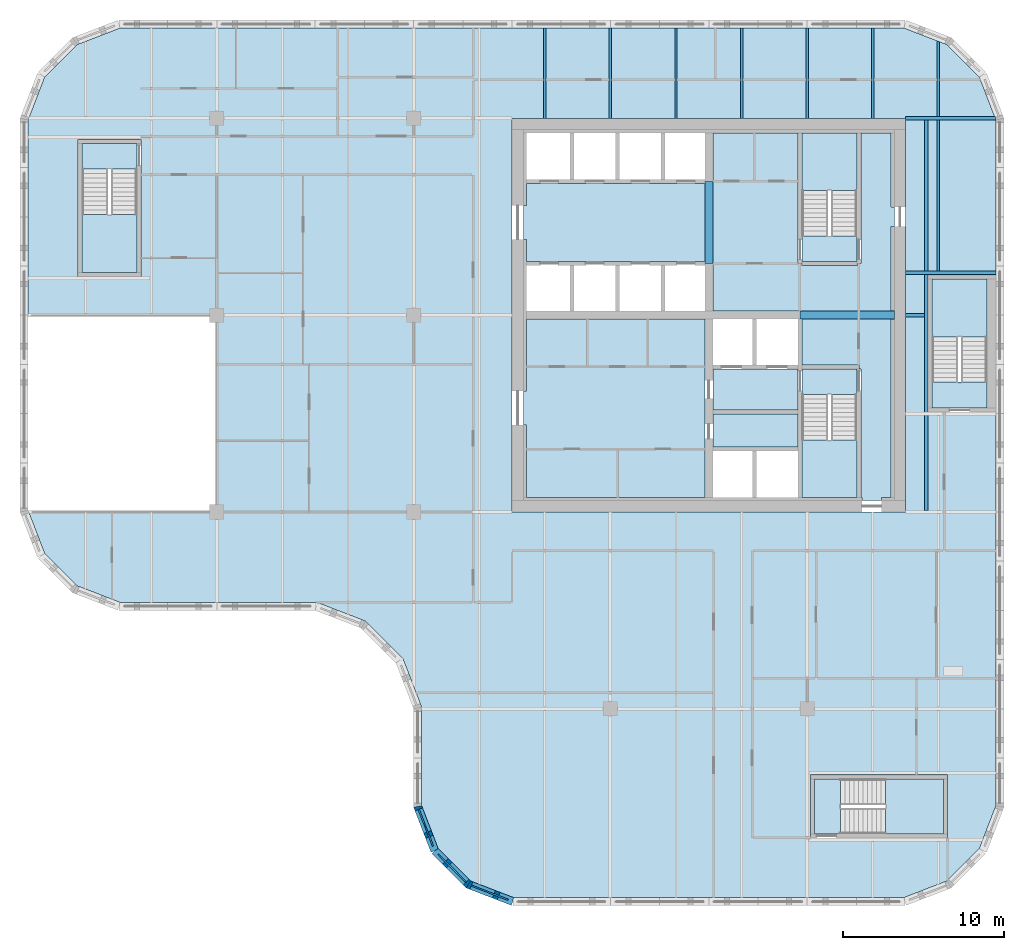
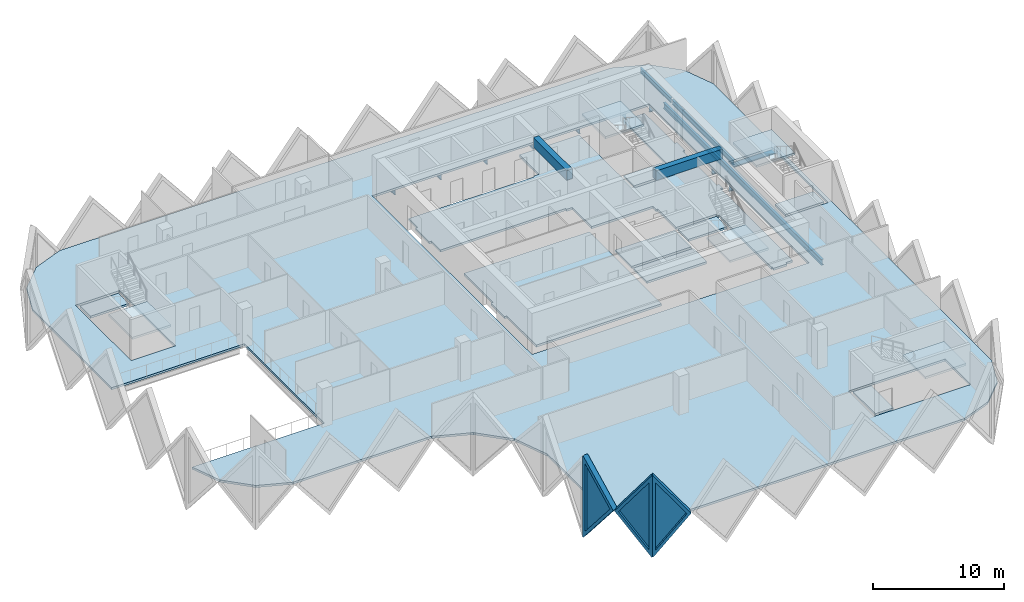
# One storey, part 2 of 12: 15 slabs, 14 beams, 3 plates, 3 walls, 3 openings, 5 elements without a shape of their own.
"""IFC4 building model written with IfcOpenShell, lengths in metres."""

from ifc_helpers import new_model, si_unit, direction, frame, origin, origin_2d, place, context, subcontext, project, spatial, polyline, rectangle, i_section, outline, extrude, faceted_brep, source, transform, mapped, material, layer, layer_set, material_profile, profile_set, type_object, element, fill, aggregate, save


model = new_model("IFC4")

# Units and contexts
model_context = context("Model", 3, precision=1e-05, world=origin(), true_north=direction((0.0, 1.0)))
body_context = subcontext(model_context, "Body", "Model", "MODEL_VIEW")
ifc_project = project(units=[si_unit("LENGTHUNIT", "METRE"), si_unit("AREAUNIT", "SQUARE_METRE"), si_unit("VOLUMEUNIT", "CUBIC_METRE"), si_unit("PLANEANGLEUNIT", "RADIAN"), si_unit("MASSUNIT", "GRAM", prefix="KILO")], contexts=[model_context])

# Site, building, storey
site_placement = place(None, origin())
site = spatial("IfcSite", under=ifc_project, at=site_placement, CompositionType="ELEMENT")
building_placement = place(site_placement, origin())
building = spatial("IfcBuilding", under=site, at=building_placement, Name="Tessera Gate Towers", CompositionType="ELEMENT")
storey_placement = place(building_placement, frame((0.0, 0.0, 124.0)))
storey = spatial("IfcBuildingStorey", under=building, at=storey_placement, Name="L30", CompositionType="ELEMENT", Elevation=124.0)

# Beams
ifc_material_1 = material(Name="Concrete C60/75", Category="concrete")
ifc_material_profile_1 = material_profile(ifc_material_1, rectangle(XDim=0.5, YDim=0.89990234375, at=origin_2d()), Name="RC 500x900")
ifc_profile_set_1 = profile_set([ifc_material_profile_1], Name="Concrete C60/75")
beam_type_1 = type_object("IfcBeamType", Name="COUPLING BEAM 500x900 C60/75", PredefinedType="BEAM", material=ifc_profile_set_1)
beam_1_placement = place(storey_placement, frame((48.35009765625, 36.60009765625, 3.14990234375), z_axis=(1.0, 0.0, 0.0), x_axis=(0.0, 1.0, 0.0)))
element("IfcBeam", 1, at=beam_1_placement, inside=storey, type_object=beam_type_1, Name="L30 coupling beam 1", PredefinedType="BEAM", context=body_context, shape_type="SweptSolid", body=[
    extrude(rectangle(XDim=0.5, YDim=0.89990234375, at=origin_2d()), origin(), (0.0, 0.0, 1.0), 5.849853515625),
])
beam_2_placement = place(storey_placement, frame((42.699951171875, 39.800048828125, 3.14990234375), z_axis=(0.0, 1.0, 0.0), x_axis=(-1.0, 0.0, 0.0)))
element("IfcBeam", 2, at=beam_2_placement, inside=storey, type_object=beam_type_1, Name="L30 coupling beam 2", PredefinedType="BEAM", context=body_context, shape_type="SweptSolid", body=[
    extrude(rectangle(XDim=0.5, YDim=0.89990234375, at=origin_2d()), origin(), (0.0, 0.0, 1.0), 5.099853515625),
])
ifc_material_2 = material(Name="Steel 350W", Category="steel")
ifc_material_profile_2 = material_profile(ifc_material_2, i_section(OverallWidth=0.208984375, OverallDepth=0.532958984375, WebThickness=0.01025390625, FlangeThickness=0.015625, at=origin_2d()), Name="W530x92")
ifc_profile_set_2 = profile_set([ifc_material_profile_2], Name="Steel 350W")
beam_type_2 = type_object("IfcBeamType", Name="FLOOR GIRDER W530x92", PredefinedType="BEAM", material=ifc_profile_set_2)
beam_3_placement = place(storey_placement, frame((54.89892578125, 36.60009765625, -0.466552734375), z_axis=(1.0, 0.0, 0.0), x_axis=(0.0, 1.0, 0.0)))
element("IfcBeam", 3, at=beam_3_placement, inside=storey, type_object=beam_type_2, Name="T1-GD-L30-3788", PredefinedType="BEAM", context=body_context, shape_type="SweptSolid", body=[
    extrude(i_section(OverallWidth=0.208984375, OverallDepth=0.532958984375, WebThickness=0.01025390625, FlangeThickness=0.015625, at=origin_2d()), origin(), (0.0, 0.0, 1.0), 1.176513671875),
])
beam_4_placement = place(storey_placement, frame((54.90087890625, 48.800048828125, -0.466552734375), z_axis=(1.0, 0.0, 0.0), x_axis=(0.0, 1.0, 0.0)))
element("IfcBeam", 4, at=beam_4_placement, inside=storey, type_object=beam_type_2, Name="T1-GD-L30-3792", PredefinedType="BEAM", context=body_context, shape_type="SweptSolid", body=[
    extrude(i_section(OverallWidth=0.208984375, OverallDepth=0.532958984375, WebThickness=0.01025390625, FlangeThickness=0.015625, at=origin_2d()), origin(), (0.0, 0.0, 1.0), 5.564208984375),
])
beam_5_placement = place(storey_placement, frame((54.89892578125, 39.219970703125, -0.466552734375), z_axis=(1.0, 0.0, 0.0), x_axis=(0.0, 1.0, 0.0)))
element("IfcBeam", 5, at=beam_5_placement, inside=storey, type_object=beam_type_2, Name="T1-GD-L30-3810", PredefinedType="BEAM", context=body_context, shape_type="SweptSolid", body=[
    extrude(i_section(OverallWidth=0.208984375, OverallDepth=0.532958984375, WebThickness=0.01025390625, FlangeThickness=0.015625, at=origin_2d()), origin(), (0.0, 0.0, 1.0), 5.60205078125),
])
beam_6_placement = place(storey_placement, frame((56.179931640625, 24.50439453125, -0.466552734375), z_axis=(0.0, 1.0, 0.0), x_axis=(-1.0, 0.0, 0.0)))
element("IfcBeam", 6, at=beam_6_placement, inside=storey, type_object=beam_type_2, Name="T1-GD-L30-3811", PredefinedType="BEAM", context=body_context, shape_type="SweptSolid", body=[
    extrude(i_section(OverallWidth=0.208984375, OverallDepth=0.532958984375, WebThickness=0.01025390625, FlangeThickness=0.015625, at=origin_2d()), origin(), (0.0, 0.0, 1.0), 24.191162109375),
])
ifc_material_3 = material(Name="Steel 350W", Category="steel")
ifc_material_profile_3 = material_profile(ifc_material_3, i_section(OverallWidth=0.153076171875, OverallDepth=0.455078125, WebThickness=0.008056640625, FlangeThickness=0.01318359375, at=origin_2d()), Name="W460x60")
ifc_profile_set_3 = profile_set([ifc_material_profile_3], Name="Steel 350W")
beam_type_3 = type_object("IfcBeamType", Name="FLOOR SECONDARY W460x60", PredefinedType="BEAM", material=ifc_profile_set_3)
for number, where, z_axis, x_axis, name in (
    (7, (32.533203125, 48.800048828125, -0.427490234375), (0.0, 1.0, 0.0), (-1.0, 0.0, 0.0), "T1-BM-L30-3833"),
    (8, (36.60009765625, 48.800048828125, -0.427490234375), (0.0, 1.0, 0.0), (-1.0, 0.0, 0.0), "T1-BM-L30-3834"),
    (9, (40.666748046875, 48.800048828125, -0.427490234375), (0.0, 1.0, 0.0), (-1.0, 0.0, 0.0), "T1-BM-L30-3837"),
    (10, (44.7333984375, 48.800048828125, -0.427490234375), (0.0, 1.0, 0.0), (-1.0, 0.0, 0.0), "T1-BM-L30-3840"),
    (11, (48.800048828125, 48.800048828125, -0.427490234375), (0.0, 1.0, 0.0), (-1.0, 0.0, 0.0), "T1-BM-L30-3841"),
    (12, (52.86669921875, 48.800048828125, -0.427490234375), (0.0, 1.0, 0.0), (-1.0, 0.0, 0.0), "T1-BM-L30-3845"),
):
    element("IfcBeam", number, at=place(storey_placement, frame(where, z_axis=z_axis, x_axis=x_axis)), inside=storey, type_object=beam_type_3, Name=name, PredefinedType="BEAM", context=body_context, shape_type="SweptSolid", body=[
        extrude(i_section(OverallWidth=0.153076171875, OverallDepth=0.455078125, WebThickness=0.008056640625, FlangeThickness=0.01318359375, at=origin_2d()), origin(), (0.0, 0.0, 1.0), 5.599853515625),
    ])
beam_7_placement = place(storey_placement, frame((56.933349609375, 39.324462890625, -0.427490234375), z_axis=(0.0, 1.0, 0.0), x_axis=(-1.0, 0.0, 0.0)))
element("IfcBeam", 13, at=beam_7_placement, inside=storey, type_object=beam_type_3, Name="T1-BM-L30-3850", PredefinedType="BEAM", context=body_context, shape_type="SweptSolid", body=[
    extrude(i_section(OverallWidth=0.153076171875, OverallDepth=0.455078125, WebThickness=0.008056640625, FlangeThickness=0.01318359375, at=origin_2d()), origin(), (0.0, 0.0, 1.0), 9.37109375),
])
beam_8_placement = place(storey_placement, frame((56.933349609375, 48.904541015625, -0.427490234375), z_axis=(0.0, 1.0, 0.0), x_axis=(-1.0, 0.0, 0.0)))
element("IfcBeam", 14, at=beam_8_placement, inside=storey, type_object=beam_type_3, Name="T1-BM-L30-3851", PredefinedType="BEAM", context=body_context, shape_type="SweptSolid", body=[
    extrude(i_section(OverallWidth=0.153076171875, OverallDepth=0.455078125, WebThickness=0.008056640625, FlangeThickness=0.01318359375, at=origin_2d()), origin(), (0.0, 0.0, 1.0), 4.675048828125),
])

# Slabs
ifc_material_4 = material(Name="Concrete C35/45", Category="concrete")
ifc_layer_1 = layer(ifc_material_4, 0.199951171875)
ifc_layer_set_1 = layer_set([ifc_layer_1], Name="COMPOSITE FLOOR 200")
slab_type_1 = type_object("IfcSlabType", Name="COMPOSITE FLOOR 200", PredefinedType="FLOOR", material=ifc_layer_set_1)
slab_1_placement = place(storey_placement, frame((0.0, 0.0, -0.199951171875)))
element("IfcSlab", 15, at=slab_1_placement, inside=storey, type_object=slab_type_1, Name="T1-L30", PredefinedType="FLOOR", context=body_context, shape_type="SweptSolid", body=[
    extrude(outline(polyline([(0.5, 36.60009765625), (12.199951171875, 36.60009765625), (12.199951171875, 24.39990234375), (0.535888671875, 24.39990234375), (1.526123046875, 21.8330078125), (3.533203125, 19.826171875), (6.193115234375, 18.800048828125), (18.39306640625, 18.800048828125), (21.42431640625, 17.630615234375), (23.730712890625, 15.32421875), (24.89990234375, 12.293212890625), (24.89990234375, 6.193115234375), (25.926025390625, 3.533203125), (27.93310546875, 1.526123046875), (30.593017578125, 0.5), (54.806884765625, 0.5), (57.466796875, 1.526123046875), (59.473876953125, 3.533203125), (60.5, 6.193115234375), (60.5, 48.706787109375), (59.473876953125, 51.366943359375), (57.466796875, 53.373779296875), (54.806884765625, 54.39990234375), (6.193115234375, 54.39990234375), (3.533203125, 53.373779296875), (1.526123046875, 51.366943359375), (0.5, 48.706787109375), (0.5, 36.60009765625)]), holes=[polyline([(3.60009765625, 39.0), (3.60009765625, 47.5), (7.5, 47.5), (7.5, 39.0), (3.60009765625, 39.0)]), polyline([(30.5, 24.39990234375), (30.5, 48.800048828125), (54.89990234375, 48.800048828125), (54.89990234375, 24.39990234375), (30.5, 24.39990234375)]), polyline([(49.0, 4.199951171875), (49.0, 8.10009765625), (57.5, 8.10009765625), (57.5, 4.199951171875), (49.0, 4.199951171875)]), polyline([(56.300048828125, 30.60009765625), (56.300048828125, 39.10009765625), (60.199951171875, 39.10009765625), (60.199951171875, 30.60009765625), (56.300048828125, 30.60009765625)])]), origin(), (0.0, 0.0, 1.0), 0.199951171875),
])
ifc_material_5 = material(Name="Concrete C35/45", Category="concrete")
ifc_layer_2 = layer(ifc_material_5, 0.199951171875)
ifc_layer_set_2 = layer_set([ifc_layer_2], Name="CORE FLOOR SLAB 200")
slab_type_2 = type_object("IfcSlabType", Name="CORE FLOOR SLAB 200", PredefinedType="FLOOR", material=ifc_layer_set_2)
slab_2_placement = place(storey_placement, frame((0.0, 0.0, -0.199951171875)))
element("IfcSlab", 16, at=slab_2_placement, inside=storey, type_object=slab_type_2, Name="L30 core floor slab", PredefinedType="FLOOR", context=body_context, shape_type="SweptSolid", body=[
    extrude(outline(polyline([(42.449951171875, 44.89990234375), (42.449951171875, 44.77490234375), (31.39990234375, 44.77490234375), (31.39990234375, 43.39990234375), (31.199951171875, 43.39990234375), (31.199951171875, 41.300048828125), (31.39990234375, 41.300048828125), (31.39990234375, 39.925048828125), (42.449951171875, 39.925048828125), (42.449951171875, 39.800048828125), (42.949951171875, 39.800048828125), (42.949951171875, 36.85009765625), (48.35009765625, 36.85009765625), (48.35009765625, 36.35009765625), (48.47509765625, 36.35009765625), (48.47509765625, 33.52490234375), (52.0, 33.52490234375), (52.0, 33.27490234375), (52.125, 33.27490234375), (52.125, 25.300048828125), (52.199951171875, 25.300048828125), (52.199951171875, 25.10009765625), (53.39990234375, 25.10009765625), (53.39990234375, 25.300048828125), (54.0, 25.300048828125), (54.0, 36.320068359375), (54.199951171875, 36.320068359375), (54.199951171875, 36.8798828125), (54.0, 36.8798828125), (54.0, 42.10009765625), (54.199951171875, 42.10009765625), (54.199951171875, 43.300048828125), (54.0, 43.300048828125), (54.0, 47.89990234375), (52.125, 47.89990234375), (52.125, 39.800048828125), (51.875, 39.800048828125), (51.875, 39.675048828125), (48.47509765625, 39.675048828125), (48.47509765625, 39.800048828125), (48.22509765625, 39.800048828125), (48.22509765625, 47.89990234375), (42.949951171875, 47.89990234375), (42.949951171875, 44.89990234375), (42.449951171875, 44.89990234375)])), origin(), (0.0, 0.0, 1.0), 0.199951171875),
])
slab_3_placement = place(storey_placement, frame((0.0, 0.0, -0.199951171875)))
element("IfcSlab", 17, at=slab_3_placement, inside=storey, type_object=slab_type_2, Name="L30 core floor slab", PredefinedType="FLOOR", context=body_context, shape_type="SweptSolid", body=[
    extrude(outline(polyline([(31.39990234375, 36.35009765625), (31.39990234375, 31.89990234375), (31.199951171875, 31.89990234375), (31.199951171875, 29.800048828125), (31.39990234375, 29.800048828125), (31.39990234375, 25.300048828125), (42.449951171875, 25.300048828125), (42.449951171875, 36.35009765625), (31.39990234375, 36.35009765625)])), origin(), (0.0, 0.0, 1.0), 0.199951171875),
])
slab_4_placement = place(storey_placement, frame((0.0, 0.0, -0.199951171875)))
element("IfcSlab", 18, at=slab_4_placement, inside=storey, type_object=slab_type_2, Name="L30 core floor slab", PredefinedType="FLOOR", context=body_context, shape_type="SweptSolid", body=[
    extrude(outline(polyline([(42.949951171875, 33.27490234375), (42.949951171875, 30.72509765625), (48.22509765625, 30.72509765625), (48.22509765625, 33.27490234375), (42.949951171875, 33.27490234375)])), origin(), (0.0, 0.0, 1.0), 0.199951171875),
])
slab_5_placement = place(storey_placement, frame((0.0, 0.0, -0.199951171875)))
element("IfcSlab", 19, at=slab_5_placement, inside=storey, type_object=slab_type_2, Name="L30 core floor slab", PredefinedType="FLOOR", context=body_context, shape_type="SweptSolid", body=[
    extrude(outline(polyline([(48.22509765625, 30.47509765625), (42.949951171875, 30.47509765625), (42.949951171875, 28.425048828125), (48.22509765625, 28.425048828125), (48.22509765625, 30.47509765625)])), origin(), (0.0, 0.0, 1.0), 0.199951171875),
])
slab_6_placement = place(storey_placement, frame((0.0, 0.0, -0.199951171875)))
element("IfcSlab", 20, at=slab_6_placement, inside=storey, type_object=slab_type_2, Name="L30 core floor slab", PredefinedType="FLOOR", context=body_context, shape_type="SweptSolid", body=[
    extrude(outline(polyline([(51.875, 31.675048828125), (51.875, 33.27490234375), (48.47509765625, 33.27490234375), (48.47509765625, 31.675048828125), (51.875, 31.675048828125)])), origin(), (0.0, 0.0, 1.0), 0.199951171875),
])
slab_7_placement = place(storey_placement, frame((0.0, 0.0, -0.199951171875)))
element("IfcSlab", 21, at=slab_7_placement, inside=storey, type_object=slab_type_2, Name="L30 core floor slab", PredefinedType="FLOOR", context=body_context, shape_type="SweptSolid", body=[
    extrude(outline(polyline([(48.47509765625, 41.52490234375), (48.47509765625, 39.925048828125), (51.875, 39.925048828125), (51.875, 41.52490234375), (48.47509765625, 41.52490234375)])), origin(), (0.0, 0.0, 1.0), 0.199951171875),
])
slab_8_placement = place(storey_placement, frame((0.0, 0.0, -0.199951171875)))
element("IfcSlab", 22, at=slab_8_placement, inside=storey, type_object=slab_type_2, Name="L30 ST3 floor landing", PredefinedType="FLOOR", context=body_context, shape_type="SweptSolid", body=[
    extrude(outline(polyline([(3.85009765625, 47.25), (3.85009765625, 45.64990234375), (7.25, 45.64990234375), (7.25, 47.25), (3.85009765625, 47.25)])), origin(), (0.0, 0.0, 1.0), 0.199951171875),
])
slab_9_placement = place(storey_placement, frame((0.0, 0.0, -0.199951171875)))
element("IfcSlab", 23, at=slab_9_placement, inside=storey, type_object=slab_type_2, Name="L30 ST4 floor landing", PredefinedType="FLOOR", context=body_context, shape_type="SweptSolid", body=[
    extrude(outline(polyline([(49.25, 4.449951171875), (50.85009765625, 4.449951171875), (50.85009765625, 7.85009765625), (49.25, 7.85009765625), (49.25, 4.449951171875)])), origin(), (0.0, 0.0, 1.0), 0.199951171875),
])
slab_10_placement = place(storey_placement, frame((0.0, 0.0, -0.199951171875)))
element("IfcSlab", 24, at=slab_10_placement, inside=storey, type_object=slab_type_2, Name="L30 ST5 floor landing", PredefinedType="FLOOR", context=body_context, shape_type="SweptSolid", body=[
    extrude(outline(polyline([(59.949951171875, 30.85009765625), (59.949951171875, 32.449951171875), (56.550048828125, 32.449951171875), (56.550048828125, 30.85009765625), (59.949951171875, 30.85009765625)])), origin(), (0.0, 0.0, 1.0), 0.199951171875),
])

# Stair, slab
ifc_material_6 = material(Name="Concrete C40/50", Category="concrete")
stair_type_1 = type_object("IfcStairType", Name="EXIT STAIR ST1 1600", PredefinedType="HALF_TURN_STAIR", material=ifc_material_6)
stair_1_placement = place(storey_placement, origin())
stair_1 = element("IfcStair", 25, at=stair_1_placement, inside=storey, type_object=stair_type_1, Name="L30 Protected Exit Stair ST1", PredefinedType="HALF_TURN_STAIR")
ifc_material_7 = material(Name="Concrete C40/50", Category="concrete")
ifc_layer_3 = layer(ifc_material_7, 0.199951171875)
ifc_layer_set_3 = layer_set([ifc_layer_3], Name="EXIT STAIR LANDING 200")
slab_type_3 = type_object("IfcSlabType", Name="EXIT STAIR LANDING 200", PredefinedType="LANDING", material=ifc_layer_set_3)
slab_11_placement = place(storey_placement, frame((0.0, 0.0, 1.699951171875)))
slab_11 = element("IfcSlab", 26, at=slab_11_placement, type_object=slab_type_3, Name="ST1 landing 1", PredefinedType="LANDING", context=body_context, shape_type="SweptSolid", body=[
    extrude(outline(polyline([(48.47509765625, 28.875), (48.47509765625, 25.300048828125), (51.875, 25.300048828125), (51.875, 28.875), (48.47509765625, 28.875)])), origin(), (0.0, 0.0, 1.0), 0.199951171875),
])
aggregate(stair_1, [slab_11])

ifc_material_8 = material(Name="Concrete C40/50", Category="concrete")
stair_type_2 = type_object("IfcStairType", Name="EXIT STAIR ST2 1600", PredefinedType="HALF_TURN_STAIR", material=ifc_material_8)
stair_2_placement = place(storey_placement, origin())
stair_2 = element("IfcStair", 27, at=stair_2_placement, inside=storey, type_object=stair_type_2, Name="L30 Protected Exit Stair ST2", PredefinedType="HALF_TURN_STAIR")
slab_12_placement = place(storey_placement, frame((0.0, 0.0, 1.699951171875)))
slab_12 = element("IfcSlab", 28, at=slab_12_placement, type_object=slab_type_3, Name="ST2 landing 1", PredefinedType="LANDING", context=body_context, shape_type="SweptSolid", body=[
    extrude(outline(polyline([(51.875, 44.324951171875), (51.875, 47.89990234375), (48.47509765625, 47.89990234375), (48.47509765625, 44.324951171875), (51.875, 44.324951171875)])), origin(), (0.0, 0.0, 1.0), 0.199951171875),
])
aggregate(stair_2, [slab_12])

ifc_material_9 = material(Name="Concrete C40/50", Category="concrete")
stair_type_3 = type_object("IfcStairType", Name="EXIT STAIR ST3 1600", PredefinedType="HALF_TURN_STAIR", material=ifc_material_9)
stair_3_placement = place(storey_placement, origin())
stair_3 = element("IfcStair", 29, at=stair_3_placement, inside=storey, type_object=stair_type_3, Name="L30 West Exit Stair ST3", PredefinedType="HALF_TURN_STAIR")
slab_13_placement = place(storey_placement, frame((0.0, 0.0, 1.699951171875)))
slab_13 = element("IfcSlab", 30, at=slab_13_placement, type_object=slab_type_3, Name="ST3 landing 1", PredefinedType="LANDING", context=body_context, shape_type="SweptSolid", body=[
    extrude(outline(polyline([(3.85009765625, 42.85009765625), (3.85009765625, 39.25), (7.25, 39.25), (7.25, 42.85009765625), (3.85009765625, 42.85009765625)])), origin(), (0.0, 0.0, 1.0), 0.199951171875),
])
aggregate(stair_3, [slab_13])

ifc_material_10 = material(Name="Concrete C40/50", Category="concrete")
stair_type_4 = type_object("IfcStairType", Name="EXIT STAIR ST4 1600", PredefinedType="HALF_TURN_STAIR", material=ifc_material_10)
stair_4_placement = place(storey_placement, origin())
stair_4 = element("IfcStair", 31, at=stair_4_placement, inside=storey, type_object=stair_type_4, Name="L30 South Exit Stair ST4", PredefinedType="HALF_TURN_STAIR")
slab_14_placement = place(storey_placement, frame((0.0, 0.0, 1.699951171875)))
slab_14 = element("IfcSlab", 32, at=slab_14_placement, type_object=slab_type_3, Name="ST4 landing 1", PredefinedType="LANDING", context=body_context, shape_type="SweptSolid", body=[
    extrude(outline(polyline([(53.64990234375, 4.449951171875), (57.25, 4.449951171875), (57.25, 7.85009765625), (53.64990234375, 7.85009765625), (53.64990234375, 4.449951171875)])), origin(), (0.0, 0.0, 1.0), 0.199951171875),
])
aggregate(stair_4, [slab_14])

ifc_material_11 = material(Name="Concrete C40/50", Category="concrete")
stair_type_5 = type_object("IfcStairType", Name="EXIT STAIR ST5 1600", PredefinedType="HALF_TURN_STAIR", material=ifc_material_11)
stair_5_placement = place(storey_placement, origin())
stair_5 = element("IfcStair", 33, at=stair_5_placement, inside=storey, type_object=stair_type_5, Name="L30 East Exit Stair ST5", PredefinedType="HALF_TURN_STAIR")
slab_15_placement = place(storey_placement, frame((0.0, 0.0, 1.699951171875)))
slab_15 = element("IfcSlab", 34, at=slab_15_placement, type_object=slab_type_3, Name="ST5 landing 1", PredefinedType="LANDING", context=body_context, shape_type="SweptSolid", body=[
    extrude(outline(polyline([(59.949951171875, 35.25), (59.949951171875, 38.85009765625), (56.550048828125, 38.85009765625), (56.550048828125, 35.25), (59.949951171875, 35.25)])), origin(), (0.0, 0.0, 1.0), 0.199951171875),
])
aggregate(stair_5, [slab_15])

# Wall, opening, plate
ifc_material_12 = material(Name="Precast concrete C60/75 white", Category="concrete")
ifc_layer_4 = layer(ifc_material_12, 0.5)
ifc_layer_set_4 = layer_set([ifc_layer_4], Name="TS3 corner tessera")
wall_type = type_object("IfcWallType", Name="TS3 corner tessera", PredefinedType="SOLIDWALL", material=ifc_layer_set_4)
shared_shape_1 = source(origin(), body_context, "Body", "Brep", [
    faceted_brep([(0.046630859375, -0.25, 0.0), (2.9970703125, -0.25, 3.800048828125), (0.046630859375, -0.25, 7.60009765625), (0.0, -0.25, 7.541259765625), (0.0, -0.25, 0.058837890625), (0.09326171875, 0.25, 7.5400390625), (2.9443359375, 0.25, 3.8681640625), (2.9443359375, 0.25, 3.73193359375), (0.09326171875, 0.25, 0.06005859375), (2.9970703125, 0.00048828125, 3.800048828125), (0.046630859375, 0.0, 0.0), (0.046630859375, 0.0, 7.60009765625)], [[[0, 1, 2, 3, 4]], [[5, 6, 7, 8]], [[8, 7, 9, 1, 0, 10]], [[6, 5, 11, 2, 1, 9]], [[3, 2, 11]], [[10, 0, 4]], [[8, 10, 4, 3, 11, 5]], [[9, 7, 6]]]),
])
wall_1_placement = place(storey_placement, frame((24.63330078125, 6.18994140625, -3.800048828125), z_axis=(0.0, 0.0, 1.0), x_axis=(0.359901446078, -0.932990326376, 0.0)))
wall_1 = element("IfcWall", 35, at=wall_1_placement, inside=storey, type_object=wall_type, Name="Precast corner tessera T1 TS3-0694", PredefinedType="SOLIDWALL", context=body_context, shape_type="MappedRepresentation", body=[
    mapped(shared_shape_1, transform((0.0, 0.0, 0.0), scale=1.0)),
])
shared_shape_2 = source(origin(), body_context, "Body", "SweptSolid", [
    extrude(outline(polyline([(0.24658203125, 0.665283203125), (2.6806640625, 3.800048828125), (0.24658203125, 6.934814453125), (0.24658203125, 0.665283203125)])), frame((0.0, 0.260009765625, 0.0), z_axis=(0.0, -1.0, 0.0), x_axis=(1.0, 0.0, 0.0)), (0.0, 0.0, 1.0), 0.52001953125),
])
opening_1_placement = place(wall_1_placement, origin())
opening_1 = element("IfcOpeningElement", 36, at=opening_1_placement, cuts=wall_1, Name="Opening T1-PL2-1031", PredefinedType="OPENING", context=body_context, shape_type="MappedRepresentation", body=[
    mapped(shared_shape_2, transform((0.0, 0.0, 0.0), scale=1.0)),
])
ifc_material_13 = material(Name="Low-e laminated glass", Category="glass")
ifc_layer_5 = layer(ifc_material_13, 0.06005859375)
ifc_layer_set_5 = layer_set([ifc_layer_5], Name="PL2 rhombic pane")
plate_type = type_object("IfcPlateType", Name="PL2 rhombic pane", PredefinedType="SHEET", material=ifc_layer_set_5)
shared_shape_3 = source(origin(), body_context, "Body", "SweptSolid", [
    extrude(outline(polyline([(0.24658203125, 0.665283203125), (2.6806640625, 3.800048828125), (0.24658203125, 6.934814453125), (0.24658203125, 0.665283203125)])), frame((0.0, 0.030029296875, 0.0), z_axis=(0.0, -1.0, 0.0), x_axis=(1.0, 0.0, 0.0)), (0.0, 0.0, 1.0), 0.06005859375),
])
plate_1_placement = place(opening_1_placement, origin())
plate_1 = element("IfcPlate", 37, at=plate_1_placement, inside=storey, type_object=plate_type, Name="Glass pane T1 PL2-1031", PredefinedType="SHEET", context=body_context, shape_type="MappedRepresentation", body=[
    mapped(shared_shape_3, transform((0.0, 0.0, 0.0), scale=1.0)),
])
fill(opening_1, plate_1)

shared_shape_4 = source(origin(), body_context, "Body", "Brep", [
    faceted_brep([(0.052978515625, -0.25, 0.0), (3.00341796875, -0.25, 3.800048828125), (0.052978515625, -0.25, 7.60009765625), (0.0, -0.25, 7.53173828125), (0.0, -0.25, 0.068359375), (0.10595703125, 0.25, 7.531982421875), (2.95703125, 0.25, 3.85986328125), (2.95703125, 0.25, 3.740234375), (0.10595703125, 0.25, 0.068115234375), (3.00341796875, 0.00048828125, 3.800048828125), (0.052978515625, 0.0, 0.0), (0.052978515625, 0.0, 7.60009765625)], [[[0, 1, 2, 3, 4]], [[5, 6, 7, 8]], [[8, 7, 9, 1, 0, 10]], [[6, 5, 11, 2, 1, 9]], [[3, 2, 11]], [[10, 0, 4]], [[8, 10, 4, 3, 11, 5]], [[9, 7, 6]]]),
])
wall_2_placement = place(storey_placement, frame((27.744384765625, 1.3310546875, -3.800048828125), z_axis=(0.0, 0.0, 1.0), x_axis=(0.932970071518, -0.359953949349, 0.0)))
wall_2 = element("IfcWall", 38, at=wall_2_placement, inside=storey, type_object=wall_type, Name="Precast corner tessera T1 TS3-0696", PredefinedType="SOLIDWALL", context=body_context, shape_type="MappedRepresentation", body=[
    mapped(shared_shape_4, transform((0.0, 0.0, 0.0), scale=1.0)),
])
shared_shape_5 = source(origin(), body_context, "Body", "SweptSolid", [
    extrude(outline(polyline([(0.2529296875, 0.665283203125), (2.68701171875, 3.800048828125), (0.2529296875, 6.934814453125), (0.2529296875, 0.665283203125)])), frame((0.0, 0.260009765625, 0.0), z_axis=(0.0, -1.0, 0.0), x_axis=(1.0, 0.0, 0.0)), (0.0, 0.0, 1.0), 0.52001953125),
])
opening_2_placement = place(wall_2_placement, origin())
opening_2 = element("IfcOpeningElement", 39, at=opening_2_placement, cuts=wall_2, Name="Opening T1-PL2-1033", PredefinedType="OPENING", context=body_context, shape_type="MappedRepresentation", body=[
    mapped(shared_shape_5, transform((0.0, 0.0, 0.0), scale=1.0)),
])
shared_shape_6 = source(origin(), body_context, "Body", "SweptSolid", [
    extrude(outline(polyline([(0.2529296875, 0.665283203125), (2.68701171875, 3.800048828125), (0.2529296875, 6.934814453125), (0.2529296875, 0.665283203125)])), frame((0.0, 0.030029296875, 0.0), z_axis=(0.0, -1.0, 0.0), x_axis=(1.0, 0.0, 0.0)), (0.0, 0.0, 1.0), 0.06005859375),
])
plate_2_placement = place(opening_2_placement, origin())
plate_2 = element("IfcPlate", 40, at=plate_2_placement, inside=storey, type_object=plate_type, Name="Glass pane T1 PL2-1033", PredefinedType="SHEET", context=body_context, shape_type="MappedRepresentation", body=[
    mapped(shared_shape_6, transform((0.0, 0.0, 0.0), scale=1.0)),
])
fill(opening_2, plate_2)

shared_shape_7 = source(origin(), body_context, "Body", "Brep", [
    faceted_brep([(2.944091796875, -0.25, 0.0), (2.9970703125, -0.25, 0.068115234375), (2.9970703125, -0.25, 7.531982421875), (2.944091796875, -0.25, 7.60009765625), (0.0, -0.25, 3.800048828125), (0.052978515625, 0.25, 3.868408203125), (2.89111328125, 0.25, 7.531982421875), (2.89111328125, 0.25, 0.068115234375), (0.052978515625, 0.25, 3.731689453125), (2.944091796875, 0.000244140625, 0.0), (2.944091796875, 0.000244140625, 7.60009765625), (0.0, 0.0, 3.800048828125)], [[[0, 1, 2, 3, 4]], [[5, 6, 7, 8]], [[1, 0, 9]], [[10, 3, 2]], [[6, 5, 11, 4, 3, 10]], [[8, 7, 9, 0, 4, 11]], [[8, 11, 5]], [[1, 9, 7, 6, 10, 2]]]),
])
wall_3_placement = place(storey_placement, frame((25.7119140625, 3.393798828125, -3.800048828125), z_axis=(0.0, 0.0, 1.0), x_axis=(0.707066050402, -0.707147509625, 0.0)))
wall_3 = element("IfcWall", 41, at=wall_3_placement, inside=storey, type_object=wall_type, Name="Precast corner tessera T1 TS3-0695", PredefinedType="SOLIDWALL", context=body_context, shape_type="MappedRepresentation", body=[
    mapped(shared_shape_7, transform((0.0, 0.0, 0.0), scale=1.0)),
])
shared_shape_8 = source(origin(), body_context, "Body", "SweptSolid", [
    extrude(outline(polyline([(2.744140625, 6.933837890625), (0.316162109375, 3.800048828125), (2.744140625, 0.666259765625), (2.744140625, 6.933837890625)])), frame((0.0, 0.260009765625, 0.0), z_axis=(0.0, -1.0, 0.0), x_axis=(1.0, 0.0, 0.0)), (0.0, 0.0, 1.0), 0.52001953125),
])
opening_3_placement = place(wall_3_placement, origin())
opening_3 = element("IfcOpeningElement", 42, at=opening_3_placement, cuts=wall_3, Name="Opening T1-PL2-1032", PredefinedType="OPENING", context=body_context, shape_type="MappedRepresentation", body=[
    mapped(shared_shape_8, transform((0.0, 0.0, 0.0), scale=1.0)),
])
shared_shape_9 = source(origin(), body_context, "Body", "SweptSolid", [
    extrude(outline(polyline([(2.744140625, 6.933837890625), (0.316162109375, 3.800048828125), (2.744140625, 0.666259765625), (2.744140625, 6.933837890625)])), frame((0.0, 0.030029296875, 0.0), z_axis=(0.0, -1.0, 0.0), x_axis=(1.0, 0.0, 0.0)), (0.0, 0.0, 1.0), 0.06005859375),
])
plate_3_placement = place(opening_3_placement, origin())
plate_3 = element("IfcPlate", 43, at=plate_3_placement, inside=storey, type_object=plate_type, Name="Glass pane T1 PL2-1032", PredefinedType="SHEET", context=body_context, shape_type="MappedRepresentation", body=[
    mapped(shared_shape_9, transform((0.0, 0.0, 0.0), scale=1.0)),
])
fill(opening_3, plate_3)

save(model, "model.ifc")
